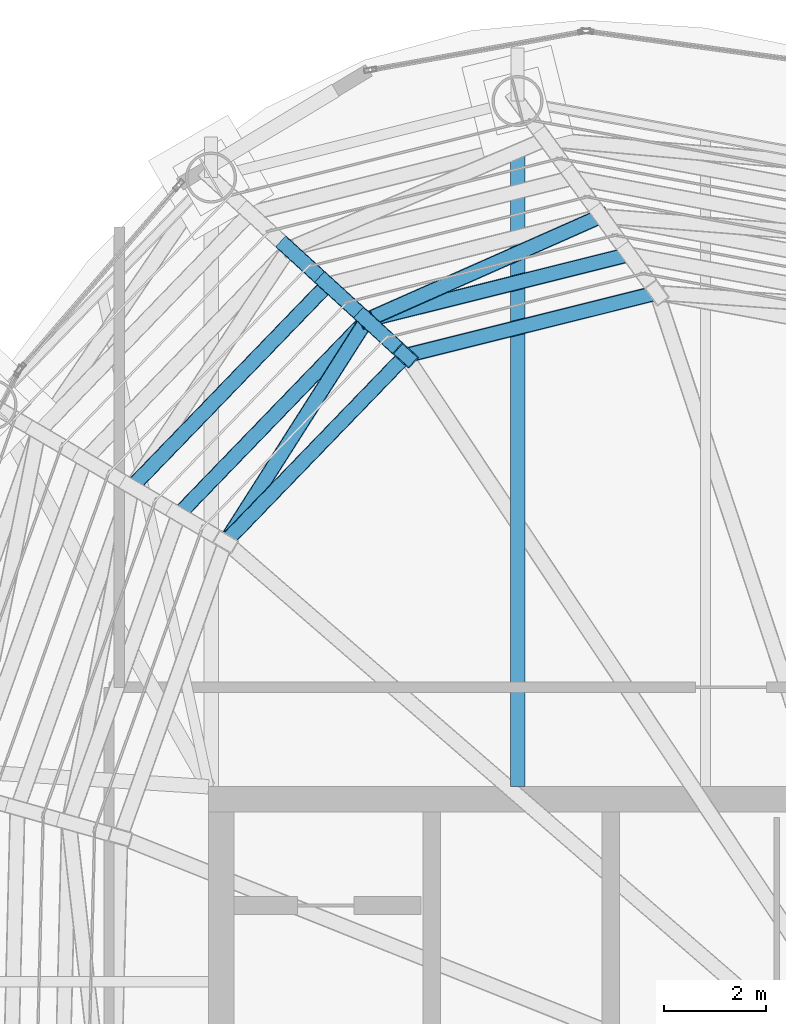
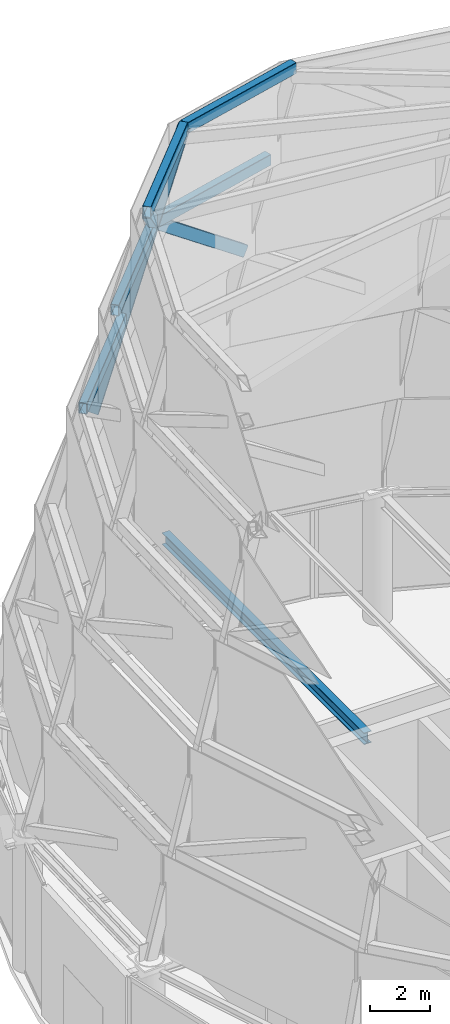
# One storey, part 27 of 40: 10 members, 1 beam.
"""IFC4 building model written with IfcOpenShell, lengths in metres."""

from ifc_helpers import new_model, si_unit, direction, frame, origin, origin_2d, place, context, subcontext, project, spatial, hollow_rectangle, i_section, extrude, material, material_profile, profile_set, type_object, element, save


model = new_model("IFC4")

# Units and contexts
model_context = context("Model", 3, precision=1e-05, world=origin(), true_north=direction((0.0, 1.0)))
body_context = subcontext(model_context, "Body", "Model", "MODEL_VIEW")
ifc_project = project(units=[si_unit("LENGTHUNIT", "METRE"), si_unit("AREAUNIT", "SQUARE_METRE"), si_unit("VOLUMEUNIT", "CUBIC_METRE"), si_unit("PLANEANGLEUNIT", "RADIAN"), si_unit("MASSUNIT", "GRAM", prefix="KILO")], contexts=[model_context])

# Site, building, storey
site_placement = place(None, origin())
site = spatial("IfcSite", under=ifc_project, at=site_placement, CompositionType="ELEMENT")
building_placement = place(site_placement, origin())
building = spatial("IfcBuilding", under=site, at=building_placement, Name="Bramvorn Convention Spire", CompositionType="ELEMENT")
storey_placement = place(building_placement, frame((0.0, 0.0, 312.5)))
storey = spatial("IfcBuildingStorey", under=building, at=storey_placement, Name="L79", CompositionType="ELEMENT", Elevation=312.5)

# Beam
ifc_material = material(Name="Steel CSA G40.21 Grade 350 (350W)", Category="steel")
ifc_material_profile_1 = material_profile(ifc_material, i_section(OverallWidth=0.283935546875, OverallDepth=0.47607421875, WebThickness=0.014892578125, FlangeThickness=0.02392578125, FilletRadius=0.01806640625, at=origin_2d()))
ifc_profile_set_1 = profile_set([ifc_material_profile_1], Name="Steel CSA G40.21 Grade 350 (350W) - W460X158")
beam_type = type_object("IfcBeamType", Name="BM-W460X158", PredefinedType="SPANDREL", material=ifc_profile_set_1)
beam_placement = place(storey_placement, frame((32.8115234375, 33.449951171875, 5.011962890625), z_axis=(0.0, 1.0, 0.0), x_axis=(-1.0, 0.0, 0.0)))
element("IfcBeam", 1, at=beam_placement, inside=storey, type_object=beam_type, Name="L79 radial floor girder MC08", PredefinedType="SPANDREL", context=body_context, shape_type="SweptSolid", body=[
    extrude(i_section(OverallWidth=0.283935546875, OverallDepth=0.47607421875, WebThickness=0.014892578125, FlangeThickness=0.02392578125, FilletRadius=0.01806640625, at=origin_2d()), origin(), (0.0, 0.0, 1.0), 13.450927734375),
])

# Members
ifc_material_profile_2 = material_profile(ifc_material, hollow_rectangle(XDim=0.300048828125, YDim=0.449951171875, WallThickness=0.02001953125, InnerFilletRadius=0.00390625, OuterFilletRadius=0.02392578125, at=origin_2d()))
ifc_profile_set_2 = profile_set([ifc_material_profile_2], Name="Steel CSA G40.21 Grade 350 (350W) - CROWN450X300X20")
member_type = type_object("IfcMemberType", Name="MBR-CROWN450X300X20", PredefinedType="USERDEFINED", material=ifc_profile_set_2)
member_1_placement = place(storey_placement, frame((28.326416015625, 44.002197265625, 13.5), z_axis=(0.184719342981, -0.169001062357, 0.968151540437), x_axis=(0.675018929262, 0.737800410096, 0.0)))
element("IfcMember", 2, at=member_1_placement, inside=storey, type_object=member_type, Name="Crown spire CROWN FRAME rib T3-09", ObjectType="CROWN FRAME", PredefinedType="USERDEFINED", context=body_context, shape_type="SweptSolid", body=[
    extrude(hollow_rectangle(XDim=0.300048828125, YDim=0.449951171875, WallThickness=0.02001953125, InnerFilletRadius=0.00390625, OuterFilletRadius=0.02392578125, at=origin_2d()), origin(), (0.0, 0.0, 1.0), 4.131591796875),
])
member_2_placement = place(storey_placement, frame((29.089599609375, 43.303955078125, 17.5), z_axis=(-0.69499012847, -0.719019277439, 0.0), x_axis=(0.719019277439, -0.69499012847, 0.0)))
element("IfcMember", 3, at=member_2_placement, inside=storey, type_object=member_type, Name="Crown spire CROWN FRAME ring beam T3-09", ObjectType="CROWN FRAME", PredefinedType="USERDEFINED", context=body_context, shape_type="SweptSolid", body=[
    extrude(hollow_rectangle(XDim=0.300048828125, YDim=0.449951171875, WallThickness=0.02001953125, InnerFilletRadius=0.00390625, OuterFilletRadius=0.02392578125, at=origin_2d()), origin(), (0.0, 0.0, 1.0), 5.527099609375),
])
member_3_placement = place(storey_placement, frame((34.99853515625, 43.89111328125, 21.5), z_axis=(-0.970177689463, -0.242394824345, 0.0), x_axis=(0.242394824345, -0.970177689463, 0.0)))
element("IfcMember", 4, at=member_3_placement, inside=storey, type_object=member_type, Name="Crown spire CROWN FRAME ring beam T4-08", ObjectType="CROWN FRAME", PredefinedType="USERDEFINED", context=body_context, shape_type="SweptSolid", body=[
    extrude(hollow_rectangle(XDim=0.300048828125, YDim=0.449951171875, WallThickness=0.02001953125, InnerFilletRadius=0.00390625, OuterFilletRadius=0.02392578125, at=origin_2d()), origin(), (0.0, 0.0, 1.0), 5.303955078125),
])
member_4_placement = place(storey_placement, frame((34.451904296875, 44.6435546875, 17.5), z_axis=(-0.715599129176, -0.31711548627, 0.622379028157), x_axis=(0.40514756825, -0.914251304588, 0.0)))
element("IfcMember", 5, at=member_4_placement, inside=storey, type_object=member_type, Name="Crown spire CROWN FRAME wind brace T4-08", ObjectType="CROWN FRAME", PredefinedType="USERDEFINED", context=body_context, shape_type="SweptSolid", body=[
    extrude(hollow_rectangle(XDim=0.300048828125, YDim=0.449951171875, WallThickness=0.02001953125, InnerFilletRadius=0.00390625, OuterFilletRadius=0.02392578125, at=origin_2d()), origin(), (0.0, 0.0, 1.0), 6.427001953125),
])
member_5_placement = place(storey_placement, frame((29.089599609375, 43.303955078125, 17.5), z_axis=(0.184717497989, -0.16905846505, 0.968141870457), x_axis=(0.675147376249, 0.737682872476, 0.0)))
element("IfcMember", 6, at=member_5_placement, inside=storey, type_object=member_type, Name="Crown spire CROWN FRAME rib T4-09", ObjectType="CROWN FRAME", PredefinedType="USERDEFINED", context=body_context, shape_type="SweptSolid", body=[
    extrude(hollow_rectangle(XDim=0.300048828125, YDim=0.449951171875, WallThickness=0.02001953125, InnerFilletRadius=0.00390625, OuterFilletRadius=0.02392578125, at=origin_2d()), origin(), (0.0, 0.0, 1.0), 4.131591796875),
])
member_6_placement = place(storey_placement, frame((29.852783203125, 42.60546875, 21.5), z_axis=(-0.695014165075, -0.718996043345, 0.0), x_axis=(0.718996043345, -0.695014165075, 0.0)))
element("IfcMember", 7, at=member_6_placement, inside=storey, type_object=member_type, Name="Crown spire CROWN FRAME ring beam T4-09", ObjectType="CROWN FRAME", PredefinedType="USERDEFINED", context=body_context, shape_type="SweptSolid", body=[
    extrude(hollow_rectangle(XDim=0.300048828125, YDim=0.449951171875, WallThickness=0.02001953125, InnerFilletRadius=0.00390625, OuterFilletRadius=0.02392578125, at=origin_2d()), origin(), (0.0, 0.0, 1.0), 5.303955078125),
])
member_7_placement = place(storey_placement, frame((35.54541015625, 43.138671875, 25.5), z_axis=(-0.970184882702, -0.242366031814, 0.0), x_axis=(0.242366031814, -0.970184882702, 0.0)))
element("IfcMember", 8, at=member_7_placement, inside=storey, type_object=member_type, Name="Crown spire CROWN FRAME ring beam T5-08", ObjectType="CROWN FRAME", PredefinedType="USERDEFINED", context=body_context, shape_type="SweptSolid", body=[
    extrude(hollow_rectangle(XDim=0.300048828125, YDim=0.449951171875, WallThickness=0.02001953125, InnerFilletRadius=0.00390625, OuterFilletRadius=0.02392578125, at=origin_2d()), origin(), (0.0, 0.0, 1.0), 5.080810546875),
])
member_8_placement = place(storey_placement, frame((29.852783203125, 42.60546875, 21.5), z_axis=(0.184719342981, -0.169001062357, 0.968151540437), x_axis=(0.675018929262, 0.737800410096, 0.0)))
element("IfcMember", 9, at=member_8_placement, inside=storey, type_object=member_type, Name="Crown spire CROWN FRAME rib T5-09", ObjectType="CROWN FRAME", PredefinedType="USERDEFINED", context=body_context, shape_type="SweptSolid", body=[
    extrude(hollow_rectangle(XDim=0.300048828125, YDim=0.449951171875, WallThickness=0.02001953125, InnerFilletRadius=0.00390625, OuterFilletRadius=0.02392578125, at=origin_2d()), origin(), (0.0, 0.0, 1.0), 4.131591796875),
])
member_9_placement = place(storey_placement, frame((30.615966796875, 41.9072265625, 25.5), z_axis=(-0.694992289368, -0.719017188751, 0.0), x_axis=(0.719017188751, -0.694992289368, 0.0)))
element("IfcMember", 10, at=member_9_placement, inside=storey, type_object=member_type, Name="Crown spire CROWN FRAME ring beam T5-09", ObjectType="CROWN FRAME", PredefinedType="USERDEFINED", context=body_context, shape_type="SweptSolid", body=[
    extrude(hollow_rectangle(XDim=0.300048828125, YDim=0.449951171875, WallThickness=0.02001953125, InnerFilletRadius=0.00390625, OuterFilletRadius=0.02392578125, at=origin_2d()), origin(), (0.0, 0.0, 1.0), 5.0810546875),
])
member_10_placement = place(storey_placement, frame((29.852783203125, 42.60546875, 21.5), z_axis=(-0.42411187515, -0.666728705474, 0.612863729269), x_axis=(0.843758935161, -0.536722329828, 0.0)))
element("IfcMember", 11, at=member_10_placement, inside=storey, type_object=member_type, Name="Crown spire CROWN FRAME wind brace T5-09", ObjectType="CROWN FRAME", PredefinedType="USERDEFINED", context=body_context, shape_type="SweptSolid", body=[
    extrude(hollow_rectangle(XDim=0.300048828125, YDim=0.449951171875, WallThickness=0.02001953125, InnerFilletRadius=0.00390625, OuterFilletRadius=0.02392578125, at=origin_2d()), origin(), (0.0, 0.0, 1.0), 6.52685546875),
])

save(model, "model.ifc")
